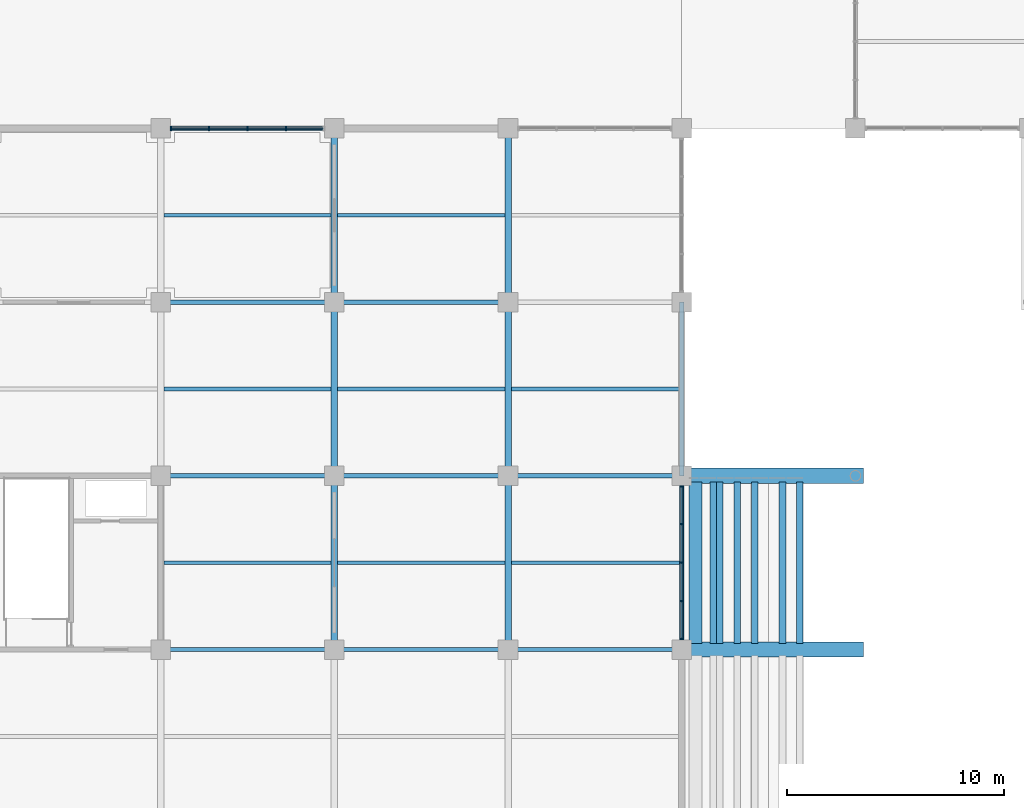
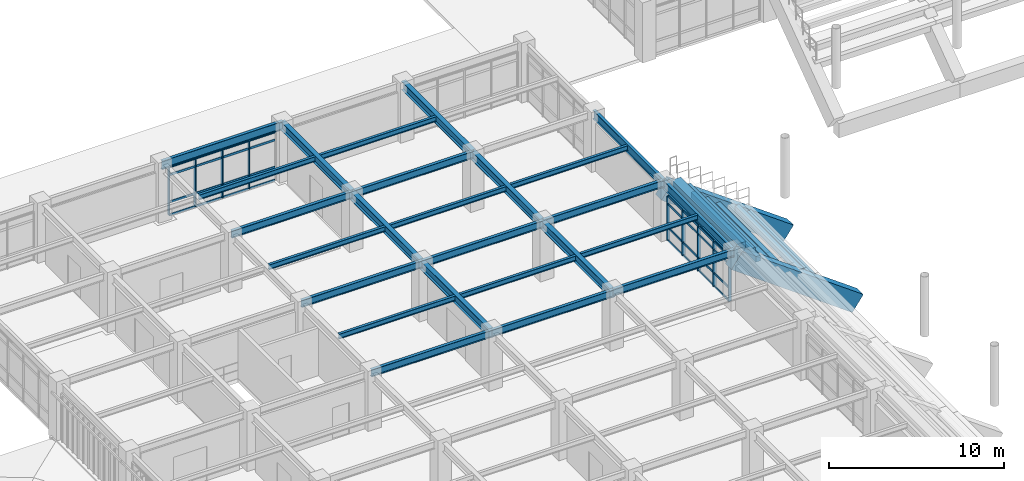
# One storey, part 51 of 118: 41 members, 34 beams, 2 elements without a shape of their own.
"""IFC4 building model written with IfcOpenShell, lengths in metres."""

from ifc_helpers import new_model, si_unit, direction, frame, origin, origin_2d, place, context, subcontext, project, spatial, rectangle, i_section, extrude, material, layer, layer_set, material_profile, profile_set, type_object, element, aggregate, save


model = new_model("IFC4")

# Units and contexts
model_context = context("Model", 3, precision=1e-05, world=origin(), true_north=direction((0.0, 1.0)))
body_context = subcontext(model_context, "Body", "Model", "MODEL_VIEW")
ifc_project = project(units=[si_unit("LENGTHUNIT", "METRE"), si_unit("AREAUNIT", "SQUARE_METRE"), si_unit("VOLUMEUNIT", "CUBIC_METRE"), si_unit("PLANEANGLEUNIT", "RADIAN"), si_unit("MASSUNIT", "GRAM", prefix="KILO")], contexts=[model_context])

# Site, building, storey
site_placement = place(None, origin())
site = spatial("IfcSite", under=ifc_project, at=site_placement, CompositionType="ELEMENT")
building_placement = place(site_placement, origin())
building = spatial("IfcBuilding", under=site, at=building_placement, Name="Haebicheon Civic Stadium", CompositionType="ELEMENT")
storey_placement = place(building_placement, frame((0.0, 0.0, 14.39990234375)))
storey = spatial("IfcBuildingStorey", under=building, at=storey_placement, Name="L04", CompositionType="ELEMENT", Elevation=14.39990234375)

# Beams
ifc_material_1 = material(Name="Precast concrete C40/50", Category="concrete")
ifc_material_profile_1 = material_profile(ifc_material_1, rectangle(XDim=0.300048828125, YDim=0.39990234375, at=origin_2d()), Name="PC-LN-300x400")
ifc_profile_set_1 = profile_set([ifc_material_profile_1], Name="Precast concrete C40/50")
beam_type_1 = type_object("IfcBeamType", Name="BM-LN-300x400", PredefinedType="LINTEL", material=ifc_profile_set_1)
for number, where, z_axis, x_axis, name in (
    (1, (69.43994140625, 128.280029296875, -0.10693359375), (0.0, 1.0, 0.0), (-1.0, 0.0, 0.0), "TIER-W-U precast step carrier beam 11.4"),
    (2, (68.639892578125, 128.280029296875, 0.5380859375), (0.0, 1.0, 0.0), (-1.0, 0.0, 0.0), "TIER-W-U precast step carrier beam 11.5"),
    (3, (67.360107421875, 128.280029296875, 1.18212890625), (0.0, 1.0, 0.0), (-1.0, 0.0, 0.0), "TIER-W-U precast step carrier beam 11.6"),
    (4, (66.56005859375, 128.280029296875, 1.8271484375), (0.0, 1.0, 0.0), (-1.0, 0.0, 0.0), "TIER-W-U precast step carrier beam 11.7"),
    (5, (65.760009765625, 128.280029296875, 2.47119140625), (0.0, 1.0, 0.0), (-1.0, 0.0, 0.0), "TIER-W-U precast step carrier beam 11.8"),
    (6, (65.43994140625, 128.280029296875, 3.1162109375), (0.0, 1.0, 0.0), (-1.0, 0.0, 0.0), "TIER-W-U precast step carrier beam 11.9"),
):
    element("IfcBeam", number, at=place(storey_placement, frame(where, z_axis=z_axis, x_axis=x_axis)), inside=storey, type_object=beam_type_1, material=ifc_profile_set_1, Name=name, PredefinedType="LINTEL", context=body_context, shape_type="SweptSolid", body=[
        extrude(rectangle(XDim=0.300048828125, YDim=0.39990234375, at=origin_2d()), origin(), (0.0, 0.0, 1.0), 7.43994140625),
    ])
ifc_material_2 = material(Name="Steel SM355 (S355)", Category="steel")
ifc_material_profile_2 = material_profile(ifc_material_2, i_section(OverallWidth=0.199951171875, OverallDepth=0.5, WebThickness=0.010009765625, FlangeThickness=0.01611328125, at=origin_2d()), Name="H-500x200x10x16")
ifc_profile_set_2 = profile_set([ifc_material_profile_2], Name="Steel SM355 (S355)")
beam_type_2 = type_object("IfcBeamType", Name="BM-ST-H500", PredefinedType="BEAM", material=ifc_profile_set_2)
for number, where, z_axis, x_axis, name in (
    (7, (40.0, 128.0, 3.690185546875), (1.0, 0.0, 0.0), (0.0, 1.0, 0.0), "L04 beam S/6-7"),
    (8, (40.0, 136.0, 3.690185546875), (1.0, 0.0, 0.0), (0.0, 1.0, 0.0), "L04 beam T/6-7"),
    (9, (40.0, 144.0, 3.690185546875), (1.0, 0.0, 0.0), (0.0, 1.0, 0.0), "L04 beam U/6-7"),
    (10, (48.0, 128.0, 3.690185546875), (1.0, 0.0, 0.0), (0.0, 1.0, 0.0), "L04 beam S/7-8"),
    (11, (48.0, 136.0, 3.690185546875), (1.0, 0.0, 0.0), (0.0, 1.0, 0.0), "L04 beam T/7-8"),
    (12, (48.0, 144.0, 3.690185546875), (1.0, 0.0, 0.0), (0.0, 1.0, 0.0), "L04 beam U/7-8"),
    (13, (56.0, 128.0, 3.72998046875), (1.0, 0.0, 0.0), (0.0, 1.0, 0.0), "L04 beam S/8-9"),
    (14, (56.0, 136.0, 3.72998046875), (1.0, 0.0, 0.0), (0.0, 1.0, 0.0), "L04 beam T/8-9"),
):
    element("IfcBeam", number, at=place(storey_placement, frame(where, z_axis=z_axis, x_axis=x_axis)), inside=storey, type_object=beam_type_2, material=ifc_profile_set_2, Name=name, PredefinedType="BEAM", context=body_context, shape_type="SweptSolid", body=[
        extrude(i_section(OverallWidth=0.199951171875, OverallDepth=0.5, WebThickness=0.010009765625, FlangeThickness=0.01611328125, at=origin_2d()), origin(), (0.0, 0.0, 1.0), 8.0),
    ])
ifc_material_3 = material(Name="Steel SM355 (S355)", Category="steel")
ifc_material_profile_3 = material_profile(ifc_material_3, i_section(OverallWidth=0.300048828125, OverallDepth=0.60009765625, WebThickness=0.011962890625, FlangeThickness=0.02001953125, at=origin_2d()), Name="H-600x300x12x20")
ifc_profile_set_3 = profile_set([ifc_material_profile_3], Name="Steel SM355 (S355)")
beam_type_3 = type_object("IfcBeamType", Name="BM-ST-H600A", PredefinedType="BEAM", material=ifc_profile_set_3)
for number, where, z_axis, x_axis, name in (
    (15, (48.0, 128.0, 3.64013671875), (0.0, 1.0, 0.0), (-1.0, 0.0, 0.0), "L04 girder 7/S-T"),
    (16, (48.0, 136.0, 3.64013671875), (0.0, 1.0, 0.0), (-1.0, 0.0, 0.0), "L04 girder 7/T-U"),
    (17, (48.0, 144.0, 3.68017578125), (0.0, 1.0, 0.0), (-1.0, 0.0, 0.0), "L04 girder 7/U-V"),
    (18, (56.0, 128.0, 3.64013671875), (0.0, 1.0, 0.0), (-1.0, 0.0, 0.0), "L04 girder 8/S-T"),
    (19, (56.0, 136.0, 3.64013671875), (0.0, 1.0, 0.0), (-1.0, 0.0, 0.0), "L04 girder 8/T-U"),
    (20, (56.0, 144.0, 3.68017578125), (0.0, 1.0, 0.0), (-1.0, 0.0, 0.0), "L04 girder 8/U-V"),
):
    element("IfcBeam", number, at=place(storey_placement, frame(where, z_axis=z_axis, x_axis=x_axis)), inside=storey, type_object=beam_type_3, material=ifc_profile_set_3, Name=name, PredefinedType="BEAM", context=body_context, shape_type="SweptSolid", body=[
        extrude(i_section(OverallWidth=0.300048828125, OverallDepth=0.60009765625, WebThickness=0.011962890625, FlangeThickness=0.02001953125, at=origin_2d()), origin(), (0.0, 0.0, 1.0), 8.0),
    ])
ifc_material_4 = material(Name="Precast concrete C40/50", Category="concrete")
ifc_material_profile_4 = material_profile(ifc_material_4, rectangle(XDim=0.60009765625, YDim=0.85009765625, at=origin_2d()), Name="PC-TB-600x850")
ifc_profile_set_4 = profile_set([ifc_material_profile_4], Name="Precast concrete C40/50")
beam_type_4 = type_object("IfcBeamType", Name="BM-TB-600x850", PredefinedType="T_BEAM", material=ifc_profile_set_4)
beam_placement = place(storey_placement, frame((64.639892578125, 128.280029296875, 3.53515625), z_axis=(0.0, 1.0, 0.0), x_axis=(-1.0, 0.0, 0.0)))
element("IfcBeam", 21, at=beam_placement, inside=storey, type_object=beam_type_4, material=ifc_profile_set_4, Name="TIER-W-U upper tier bench carrier beam 11", PredefinedType="T_BEAM", context=body_context, shape_type="SweptSolid", body=[
    extrude(rectangle(XDim=0.60009765625, YDim=0.85009765625, at=origin_2d()), origin(), (0.0, 0.0, 1.0), 7.43994140625),
])

# Curtain wall, members
ifc_material_5 = material(Name="Anodised aluminium and laminated glass", Category="aluminium")
ifc_layer_1 = layer(ifc_material_5, 0.179931640625, Name="Anodised aluminium and laminated glass")
ifc_layer_set_1 = layer_set([ifc_layer_1], Name="Anodised aluminium and laminated glass")
curtain_wall_type_1 = type_object("IfcCurtainWallType", Name="CW-7100x3350", PredefinedType="NOTDEFINED", material=ifc_layer_set_1)
curtain_wall_1_placement = place(storey_placement, origin())
curtain_wall_1 = element("IfcCurtainWall", 22, at=curtain_wall_1_placement, inside=storey, type_object=curtain_wall_type_1, material=ifc_layer_set_1, Name="L04 unitised curtain wall 114", PredefinedType="NOTDEFINED")
ifc_material_6 = material(Name="Anodised aluminium 6063-T6", Category="aluminium")
ifc_material_profile_5 = material_profile(ifc_material_6, rectangle(XDim=0.070068359375, YDim=0.199951171875, at=origin_2d()), Name="ALU-MULL-70x200")
ifc_profile_set_5 = profile_set([ifc_material_profile_5], Name="Anodised aluminium 6063-T6")
member_type_1 = type_object("IfcMemberType", Name="CWM-200x70", PredefinedType="MULLION", material=ifc_profile_set_5)
member_1_placement = place(storey_placement, frame((40.485107421875, 152.0, 0.0), z_axis=(0.0, 0.0, 1.0), x_axis=(1.0, 0.0, 0.0)))
member_1 = element("IfcMember", 23, at=member_1_placement, type_object=member_type_1, material=ifc_profile_set_5, Name="CW-L04-114 vertical mullion 1", PredefinedType="MULLION", context=body_context, shape_type="SweptSolid", body=[
    extrude(rectangle(XDim=0.070068359375, YDim=0.199951171875, at=origin_2d()), origin(), (0.0, 0.0, 1.0), 3.35009765625),
])
member_2_placement = place(storey_placement, frame((42.22509765625, 152.0, 0.0), z_axis=(0.0, 0.0, 1.0), x_axis=(1.0, 0.0, 0.0)))
member_2 = element("IfcMember", 24, at=member_2_placement, type_object=member_type_1, material=ifc_profile_set_5, Name="CW-L04-114 vertical mullion 2", PredefinedType="MULLION", context=body_context, shape_type="SweptSolid", body=[
    extrude(rectangle(XDim=0.070068359375, YDim=0.199951171875, at=origin_2d()), origin(), (0.0, 0.0, 1.0), 3.35009765625),
])
member_3_placement = place(storey_placement, frame((44.0, 152.0, 0.0), z_axis=(0.0, 0.0, 1.0), x_axis=(1.0, 0.0, 0.0)))
member_3 = element("IfcMember", 25, at=member_3_placement, type_object=member_type_1, material=ifc_profile_set_5, Name="CW-L04-114 vertical mullion 3", PredefinedType="MULLION", context=body_context, shape_type="SweptSolid", body=[
    extrude(rectangle(XDim=0.070068359375, YDim=0.199951171875, at=origin_2d()), origin(), (0.0, 0.0, 1.0), 3.35009765625),
])
member_4_placement = place(storey_placement, frame((45.77490234375, 152.0, 0.0), z_axis=(0.0, 0.0, 1.0), x_axis=(1.0, 0.0, 0.0)))
member_4 = element("IfcMember", 26, at=member_4_placement, type_object=member_type_1, material=ifc_profile_set_5, Name="CW-L04-114 vertical mullion 4", PredefinedType="MULLION", context=body_context, shape_type="SweptSolid", body=[
    extrude(rectangle(XDim=0.070068359375, YDim=0.199951171875, at=origin_2d()), origin(), (0.0, 0.0, 1.0), 3.35009765625),
])

ifc_material_7 = material(Name="Anodised aluminium and laminated glass", Category="aluminium")
ifc_layer_2 = layer(ifc_material_7, 0.179931640625, Name="Anodised aluminium and laminated glass")
ifc_layer_set_2 = layer_set([ifc_layer_2], Name="Anodised aluminium and laminated glass")
curtain_wall_type_2 = type_object("IfcCurtainWallType", Name="CW-7100x3100", PredefinedType="NOTDEFINED", material=ifc_layer_set_2)
curtain_wall_2_placement = place(storey_placement, origin())
curtain_wall_2 = element("IfcCurtainWall", 27, at=curtain_wall_2_placement, inside=storey, type_object=curtain_wall_type_2, material=ifc_layer_set_2, Name="L04 unitised curtain wall 122", PredefinedType="NOTDEFINED")
member_5_placement = place(storey_placement, frame((64.0, 128.485107421875, 0.0), z_axis=(0.0, 0.0, 1.0), x_axis=(0.0, 1.0, 0.0)))
member_5 = element("IfcMember", 28, at=member_5_placement, type_object=member_type_1, material=ifc_profile_set_5, Name="CW-L04-122 vertical mullion 1", PredefinedType="MULLION", context=body_context, shape_type="SweptSolid", body=[
    extrude(rectangle(XDim=0.070068359375, YDim=0.199951171875, at=origin_2d()), origin(), (0.0, 0.0, 1.0), 3.10009765625),
])
member_6_placement = place(storey_placement, frame((64.0, 130.22509765625, 0.0), z_axis=(0.0, 0.0, 1.0), x_axis=(0.0, 1.0, 0.0)))
member_6 = element("IfcMember", 29, at=member_6_placement, type_object=member_type_1, material=ifc_profile_set_5, Name="CW-L04-122 vertical mullion 2", PredefinedType="MULLION", context=body_context, shape_type="SweptSolid", body=[
    extrude(rectangle(XDim=0.070068359375, YDim=0.199951171875, at=origin_2d()), origin(), (0.0, 0.0, 1.0), 3.10009765625),
])
member_7_placement = place(storey_placement, frame((64.0, 132.0, 0.0), z_axis=(0.0, 0.0, 1.0), x_axis=(0.0, 1.0, 0.0)))
member_7 = element("IfcMember", 30, at=member_7_placement, type_object=member_type_1, material=ifc_profile_set_5, Name="CW-L04-122 vertical mullion 3", PredefinedType="MULLION", context=body_context, shape_type="SweptSolid", body=[
    extrude(rectangle(XDim=0.070068359375, YDim=0.199951171875, at=origin_2d()), origin(), (0.0, 0.0, 1.0), 3.10009765625),
])
member_8_placement = place(storey_placement, frame((64.0, 133.77490234375, 0.0), z_axis=(0.0, 0.0, 1.0), x_axis=(0.0, 1.0, 0.0)))
member_8 = element("IfcMember", 31, at=member_8_placement, type_object=member_type_1, material=ifc_profile_set_5, Name="CW-L04-122 vertical mullion 4", PredefinedType="MULLION", context=body_context, shape_type="SweptSolid", body=[
    extrude(rectangle(XDim=0.070068359375, YDim=0.199951171875, at=origin_2d()), origin(), (0.0, 0.0, 1.0), 3.10009765625),
])
member_9_placement = place(storey_placement, frame((64.0, 135.514892578125, 0.0), z_axis=(0.0, 0.0, 1.0), x_axis=(0.0, 1.0, 0.0)))
member_9 = element("IfcMember", 32, at=member_9_placement, type_object=member_type_1, material=ifc_profile_set_5, Name="CW-L04-122 vertical mullion 5", PredefinedType="MULLION", context=body_context, shape_type="SweptSolid", body=[
    extrude(rectangle(XDim=0.070068359375, YDim=0.199951171875, at=origin_2d()), origin(), (0.0, 0.0, 1.0), 3.10009765625),
])

# Member
ifc_material_8 = material(Name="Anodised aluminium 6063-T6", Category="aluminium")
ifc_material_profile_6 = material_profile(ifc_material_8, rectangle(XDim=0.070068359375, YDim=0.14990234375, at=origin_2d()), Name="ALU-TRAN-70x150")
ifc_profile_set_6 = profile_set([ifc_material_profile_6], Name="Anodised aluminium 6063-T6")
member_type_2 = type_object("IfcMemberType", Name="CWT-150x70", PredefinedType="NOTDEFINED", material=ifc_profile_set_6)
member_10_placement = place(storey_placement, frame((40.52001953125, 152.0, 0.0), z_axis=(1.0, 0.0, 0.0), x_axis=(0.0, 1.0, 0.0)))
member_10 = element("IfcMember", 33, at=member_10_placement, type_object=member_type_2, material=ifc_profile_set_6, Name="CW-L04-114 horizontal transom 1.1", ObjectType="TRANSOM", PredefinedType="USERDEFINED", context=body_context, shape_type="SweptSolid", body=[
    extrude(rectangle(XDim=0.070068359375, YDim=0.14990234375, at=origin_2d()), origin(), (0.0, 0.0, 1.0), 1.669921875),
])

member_11_placement = place(storey_placement, frame((40.52001953125, 152.0, 0.900146484375), z_axis=(1.0, 0.0, 0.0), x_axis=(0.0, 1.0, 0.0)))
member_11 = element("IfcMember", 34, at=member_11_placement, type_object=member_type_2, material=ifc_profile_set_6, Name="CW-L04-114 horizontal transom 1.2", ObjectType="TRANSOM", PredefinedType="USERDEFINED", context=body_context, shape_type="SweptSolid", body=[
    extrude(rectangle(XDim=0.070068359375, YDim=0.14990234375, at=origin_2d()), origin(), (0.0, 0.0, 1.0), 1.669921875),
])

member_12_placement = place(storey_placement, frame((40.52001953125, 152.0, 2.800048828125), z_axis=(1.0, 0.0, 0.0), x_axis=(0.0, 1.0, 0.0)))
member_12 = element("IfcMember", 35, at=member_12_placement, type_object=member_type_2, material=ifc_profile_set_6, Name="CW-L04-114 horizontal transom 1.3", ObjectType="TRANSOM", PredefinedType="USERDEFINED", context=body_context, shape_type="SweptSolid", body=[
    extrude(rectangle(XDim=0.070068359375, YDim=0.14990234375, at=origin_2d()), origin(), (0.0, 0.0, 1.0), 1.669921875),
])

member_13_placement = place(storey_placement, frame((40.52001953125, 152.0, 3.35009765625), z_axis=(1.0, 0.0, 0.0), x_axis=(0.0, 1.0, 0.0)))
member_13 = element("IfcMember", 36, at=member_13_placement, type_object=member_type_2, material=ifc_profile_set_6, Name="CW-L04-114 horizontal transom 1.4", ObjectType="TRANSOM", PredefinedType="USERDEFINED", context=body_context, shape_type="SweptSolid", body=[
    extrude(rectangle(XDim=0.070068359375, YDim=0.14990234375, at=origin_2d()), origin(), (0.0, 0.0, 1.0), 1.669921875),
])

member_14_placement = place(storey_placement, frame((42.260009765625, 152.0, 0.0), z_axis=(1.0, 0.0, 0.0), x_axis=(0.0, 1.0, 0.0)))
member_14 = element("IfcMember", 37, at=member_14_placement, type_object=member_type_2, material=ifc_profile_set_6, Name="CW-L04-114 horizontal transom 2.1", ObjectType="TRANSOM", PredefinedType="USERDEFINED", context=body_context, shape_type="SweptSolid", body=[
    extrude(rectangle(XDim=0.070068359375, YDim=0.14990234375, at=origin_2d()), origin(), (0.0, 0.0, 1.0), 1.705078125),
])

member_15_placement = place(storey_placement, frame((42.260009765625, 152.0, 0.900146484375), z_axis=(1.0, 0.0, 0.0), x_axis=(0.0, 1.0, 0.0)))
member_15 = element("IfcMember", 38, at=member_15_placement, type_object=member_type_2, material=ifc_profile_set_6, Name="CW-L04-114 horizontal transom 2.2", ObjectType="TRANSOM", PredefinedType="USERDEFINED", context=body_context, shape_type="SweptSolid", body=[
    extrude(rectangle(XDim=0.070068359375, YDim=0.14990234375, at=origin_2d()), origin(), (0.0, 0.0, 1.0), 1.705078125),
])

member_16_placement = place(storey_placement, frame((42.260009765625, 152.0, 2.800048828125), z_axis=(1.0, 0.0, 0.0), x_axis=(0.0, 1.0, 0.0)))
member_16 = element("IfcMember", 39, at=member_16_placement, type_object=member_type_2, material=ifc_profile_set_6, Name="CW-L04-114 horizontal transom 2.3", ObjectType="TRANSOM", PredefinedType="USERDEFINED", context=body_context, shape_type="SweptSolid", body=[
    extrude(rectangle(XDim=0.070068359375, YDim=0.14990234375, at=origin_2d()), origin(), (0.0, 0.0, 1.0), 1.705078125),
])

member_17_placement = place(storey_placement, frame((42.260009765625, 152.0, 3.35009765625), z_axis=(1.0, 0.0, 0.0), x_axis=(0.0, 1.0, 0.0)))
member_17 = element("IfcMember", 40, at=member_17_placement, type_object=member_type_2, material=ifc_profile_set_6, Name="CW-L04-114 horizontal transom 2.4", ObjectType="TRANSOM", PredefinedType="USERDEFINED", context=body_context, shape_type="SweptSolid", body=[
    extrude(rectangle(XDim=0.070068359375, YDim=0.14990234375, at=origin_2d()), origin(), (0.0, 0.0, 1.0), 1.705078125),
])

member_18_placement = place(storey_placement, frame((44.034912109375, 152.0, 0.0), z_axis=(1.0, 0.0, 0.0), x_axis=(0.0, 1.0, 0.0)))
member_18 = element("IfcMember", 41, at=member_18_placement, type_object=member_type_2, material=ifc_profile_set_6, Name="CW-L04-114 horizontal transom 3.1", ObjectType="TRANSOM", PredefinedType="USERDEFINED", context=body_context, shape_type="SweptSolid", body=[
    extrude(rectangle(XDim=0.070068359375, YDim=0.14990234375, at=origin_2d()), origin(), (0.0, 0.0, 1.0), 1.705078125),
])

member_19_placement = place(storey_placement, frame((44.034912109375, 152.0, 0.900146484375), z_axis=(1.0, 0.0, 0.0), x_axis=(0.0, 1.0, 0.0)))
member_19 = element("IfcMember", 42, at=member_19_placement, type_object=member_type_2, material=ifc_profile_set_6, Name="CW-L04-114 horizontal transom 3.2", ObjectType="TRANSOM", PredefinedType="USERDEFINED", context=body_context, shape_type="SweptSolid", body=[
    extrude(rectangle(XDim=0.070068359375, YDim=0.14990234375, at=origin_2d()), origin(), (0.0, 0.0, 1.0), 1.705078125),
])

member_20_placement = place(storey_placement, frame((44.034912109375, 152.0, 2.800048828125), z_axis=(1.0, 0.0, 0.0), x_axis=(0.0, 1.0, 0.0)))
member_20 = element("IfcMember", 43, at=member_20_placement, type_object=member_type_2, material=ifc_profile_set_6, Name="CW-L04-114 horizontal transom 3.3", ObjectType="TRANSOM", PredefinedType="USERDEFINED", context=body_context, shape_type="SweptSolid", body=[
    extrude(rectangle(XDim=0.070068359375, YDim=0.14990234375, at=origin_2d()), origin(), (0.0, 0.0, 1.0), 1.705078125),
])

member_21_placement = place(storey_placement, frame((44.034912109375, 152.0, 3.35009765625), z_axis=(1.0, 0.0, 0.0), x_axis=(0.0, 1.0, 0.0)))
member_21 = element("IfcMember", 44, at=member_21_placement, type_object=member_type_2, material=ifc_profile_set_6, Name="CW-L04-114 horizontal transom 3.4", ObjectType="TRANSOM", PredefinedType="USERDEFINED", context=body_context, shape_type="SweptSolid", body=[
    extrude(rectangle(XDim=0.070068359375, YDim=0.14990234375, at=origin_2d()), origin(), (0.0, 0.0, 1.0), 1.705078125),
])

member_22_placement = place(storey_placement, frame((45.81005859375, 152.0, 0.0), z_axis=(1.0, 0.0, 0.0), x_axis=(0.0, 1.0, 0.0)))
member_22 = element("IfcMember", 45, at=member_22_placement, type_object=member_type_2, material=ifc_profile_set_6, Name="CW-L04-114 horizontal transom 4.1", ObjectType="TRANSOM", PredefinedType="USERDEFINED", context=body_context, shape_type="SweptSolid", body=[
    extrude(rectangle(XDim=0.070068359375, YDim=0.14990234375, at=origin_2d()), origin(), (0.0, 0.0, 1.0), 1.669921875),
])

member_23_placement = place(storey_placement, frame((45.81005859375, 152.0, 0.900146484375), z_axis=(1.0, 0.0, 0.0), x_axis=(0.0, 1.0, 0.0)))
member_23 = element("IfcMember", 46, at=member_23_placement, type_object=member_type_2, material=ifc_profile_set_6, Name="CW-L04-114 horizontal transom 4.2", ObjectType="TRANSOM", PredefinedType="USERDEFINED", context=body_context, shape_type="SweptSolid", body=[
    extrude(rectangle(XDim=0.070068359375, YDim=0.14990234375, at=origin_2d()), origin(), (0.0, 0.0, 1.0), 1.669921875),
])

member_24_placement = place(storey_placement, frame((45.81005859375, 152.0, 2.800048828125), z_axis=(1.0, 0.0, 0.0), x_axis=(0.0, 1.0, 0.0)))
member_24 = element("IfcMember", 47, at=member_24_placement, type_object=member_type_2, material=ifc_profile_set_6, Name="CW-L04-114 horizontal transom 4.3", ObjectType="TRANSOM", PredefinedType="USERDEFINED", context=body_context, shape_type="SweptSolid", body=[
    extrude(rectangle(XDim=0.070068359375, YDim=0.14990234375, at=origin_2d()), origin(), (0.0, 0.0, 1.0), 1.669921875),
])

member_25_placement = place(storey_placement, frame((45.81005859375, 152.0, 3.35009765625), z_axis=(1.0, 0.0, 0.0), x_axis=(0.0, 1.0, 0.0)))
member_25 = element("IfcMember", 48, at=member_25_placement, type_object=member_type_2, material=ifc_profile_set_6, Name="CW-L04-114 horizontal transom 4.4", ObjectType="TRANSOM", PredefinedType="USERDEFINED", context=body_context, shape_type="SweptSolid", body=[
    extrude(rectangle(XDim=0.070068359375, YDim=0.14990234375, at=origin_2d()), origin(), (0.0, 0.0, 1.0), 1.669921875),
])

aggregate(curtain_wall_1, [member_1, member_2, member_3, member_4, member_10, member_11, member_12, member_13, member_14, member_15, member_16, member_17, member_18, member_19, member_20, member_21, member_22, member_23, member_24, member_25])

member_26_placement = place(storey_placement, frame((64.0, 128.52001953125, 0.0), z_axis=(0.0, 1.0, 0.0), x_axis=(-1.0, 0.0, 0.0)))
member_26 = element("IfcMember", 49, at=member_26_placement, type_object=member_type_2, material=ifc_profile_set_6, Name="CW-L04-122 horizontal transom 1.1", ObjectType="TRANSOM", PredefinedType="USERDEFINED", context=body_context, shape_type="SweptSolid", body=[
    extrude(rectangle(XDim=0.070068359375, YDim=0.14990234375, at=origin_2d()), origin(), (0.0, 0.0, 1.0), 1.669921875),
])

member_27_placement = place(storey_placement, frame((64.0, 128.52001953125, 0.900146484375), z_axis=(0.0, 1.0, 0.0), x_axis=(-1.0, 0.0, 0.0)))
member_27 = element("IfcMember", 50, at=member_27_placement, type_object=member_type_2, material=ifc_profile_set_6, Name="CW-L04-122 horizontal transom 1.2", ObjectType="TRANSOM", PredefinedType="USERDEFINED", context=body_context, shape_type="SweptSolid", body=[
    extrude(rectangle(XDim=0.070068359375, YDim=0.14990234375, at=origin_2d()), origin(), (0.0, 0.0, 1.0), 1.669921875),
])

member_28_placement = place(storey_placement, frame((64.0, 128.52001953125, 2.550048828125), z_axis=(0.0, 1.0, 0.0), x_axis=(-1.0, 0.0, 0.0)))
member_28 = element("IfcMember", 51, at=member_28_placement, type_object=member_type_2, material=ifc_profile_set_6, Name="CW-L04-122 horizontal transom 1.3", ObjectType="TRANSOM", PredefinedType="USERDEFINED", context=body_context, shape_type="SweptSolid", body=[
    extrude(rectangle(XDim=0.070068359375, YDim=0.14990234375, at=origin_2d()), origin(), (0.0, 0.0, 1.0), 1.669921875),
])

member_29_placement = place(storey_placement, frame((64.0, 128.52001953125, 3.10009765625), z_axis=(0.0, 1.0, 0.0), x_axis=(-1.0, 0.0, 0.0)))
member_29 = element("IfcMember", 52, at=member_29_placement, type_object=member_type_2, material=ifc_profile_set_6, Name="CW-L04-122 horizontal transom 1.4", ObjectType="TRANSOM", PredefinedType="USERDEFINED", context=body_context, shape_type="SweptSolid", body=[
    extrude(rectangle(XDim=0.070068359375, YDim=0.14990234375, at=origin_2d()), origin(), (0.0, 0.0, 1.0), 1.669921875),
])

member_30_placement = place(storey_placement, frame((64.0, 130.260009765625, 0.0), z_axis=(0.0, 1.0, 0.0), x_axis=(-1.0, 0.0, 0.0)))
member_30 = element("IfcMember", 53, at=member_30_placement, type_object=member_type_2, material=ifc_profile_set_6, Name="CW-L04-122 horizontal transom 2.1", ObjectType="TRANSOM", PredefinedType="USERDEFINED", context=body_context, shape_type="SweptSolid", body=[
    extrude(rectangle(XDim=0.070068359375, YDim=0.14990234375, at=origin_2d()), origin(), (0.0, 0.0, 1.0), 1.705078125),
])

member_31_placement = place(storey_placement, frame((64.0, 130.260009765625, 0.900146484375), z_axis=(0.0, 1.0, 0.0), x_axis=(-1.0, 0.0, 0.0)))
member_31 = element("IfcMember", 54, at=member_31_placement, type_object=member_type_2, material=ifc_profile_set_6, Name="CW-L04-122 horizontal transom 2.2", ObjectType="TRANSOM", PredefinedType="USERDEFINED", context=body_context, shape_type="SweptSolid", body=[
    extrude(rectangle(XDim=0.070068359375, YDim=0.14990234375, at=origin_2d()), origin(), (0.0, 0.0, 1.0), 1.705078125),
])

member_32_placement = place(storey_placement, frame((64.0, 130.260009765625, 2.550048828125), z_axis=(0.0, 1.0, 0.0), x_axis=(-1.0, 0.0, 0.0)))
member_32 = element("IfcMember", 55, at=member_32_placement, type_object=member_type_2, material=ifc_profile_set_6, Name="CW-L04-122 horizontal transom 2.3", ObjectType="TRANSOM", PredefinedType="USERDEFINED", context=body_context, shape_type="SweptSolid", body=[
    extrude(rectangle(XDim=0.070068359375, YDim=0.14990234375, at=origin_2d()), origin(), (0.0, 0.0, 1.0), 1.705078125),
])

member_33_placement = place(storey_placement, frame((64.0, 130.260009765625, 3.10009765625), z_axis=(0.0, 1.0, 0.0), x_axis=(-1.0, 0.0, 0.0)))
member_33 = element("IfcMember", 56, at=member_33_placement, type_object=member_type_2, material=ifc_profile_set_6, Name="CW-L04-122 horizontal transom 2.4", ObjectType="TRANSOM", PredefinedType="USERDEFINED", context=body_context, shape_type="SweptSolid", body=[
    extrude(rectangle(XDim=0.070068359375, YDim=0.14990234375, at=origin_2d()), origin(), (0.0, 0.0, 1.0), 1.705078125),
])

member_34_placement = place(storey_placement, frame((64.0, 132.034912109375, 0.0), z_axis=(0.0, 1.0, 0.0), x_axis=(-1.0, 0.0, 0.0)))
member_34 = element("IfcMember", 57, at=member_34_placement, type_object=member_type_2, material=ifc_profile_set_6, Name="CW-L04-122 horizontal transom 3.1", ObjectType="TRANSOM", PredefinedType="USERDEFINED", context=body_context, shape_type="SweptSolid", body=[
    extrude(rectangle(XDim=0.070068359375, YDim=0.14990234375, at=origin_2d()), origin(), (0.0, 0.0, 1.0), 1.705078125),
])

member_35_placement = place(storey_placement, frame((64.0, 132.034912109375, 0.900146484375), z_axis=(0.0, 1.0, 0.0), x_axis=(-1.0, 0.0, 0.0)))
member_35 = element("IfcMember", 58, at=member_35_placement, type_object=member_type_2, material=ifc_profile_set_6, Name="CW-L04-122 horizontal transom 3.2", ObjectType="TRANSOM", PredefinedType="USERDEFINED", context=body_context, shape_type="SweptSolid", body=[
    extrude(rectangle(XDim=0.070068359375, YDim=0.14990234375, at=origin_2d()), origin(), (0.0, 0.0, 1.0), 1.705078125),
])

member_36_placement = place(storey_placement, frame((64.0, 132.034912109375, 2.550048828125), z_axis=(0.0, 1.0, 0.0), x_axis=(-1.0, 0.0, 0.0)))
member_36 = element("IfcMember", 59, at=member_36_placement, type_object=member_type_2, material=ifc_profile_set_6, Name="CW-L04-122 horizontal transom 3.3", ObjectType="TRANSOM", PredefinedType="USERDEFINED", context=body_context, shape_type="SweptSolid", body=[
    extrude(rectangle(XDim=0.070068359375, YDim=0.14990234375, at=origin_2d()), origin(), (0.0, 0.0, 1.0), 1.705078125),
])

member_37_placement = place(storey_placement, frame((64.0, 132.034912109375, 3.10009765625), z_axis=(0.0, 1.0, 0.0), x_axis=(-1.0, 0.0, 0.0)))
member_37 = element("IfcMember", 60, at=member_37_placement, type_object=member_type_2, material=ifc_profile_set_6, Name="CW-L04-122 horizontal transom 3.4", ObjectType="TRANSOM", PredefinedType="USERDEFINED", context=body_context, shape_type="SweptSolid", body=[
    extrude(rectangle(XDim=0.070068359375, YDim=0.14990234375, at=origin_2d()), origin(), (0.0, 0.0, 1.0), 1.705078125),
])

member_38_placement = place(storey_placement, frame((64.0, 133.81005859375, 0.0), z_axis=(0.0, 1.0, 0.0), x_axis=(-1.0, 0.0, 0.0)))
member_38 = element("IfcMember", 61, at=member_38_placement, type_object=member_type_2, material=ifc_profile_set_6, Name="CW-L04-122 horizontal transom 4.1", ObjectType="TRANSOM", PredefinedType="USERDEFINED", context=body_context, shape_type="SweptSolid", body=[
    extrude(rectangle(XDim=0.070068359375, YDim=0.14990234375, at=origin_2d()), origin(), (0.0, 0.0, 1.0), 1.669921875),
])

member_39_placement = place(storey_placement, frame((64.0, 133.81005859375, 0.900146484375), z_axis=(0.0, 1.0, 0.0), x_axis=(-1.0, 0.0, 0.0)))
member_39 = element("IfcMember", 62, at=member_39_placement, type_object=member_type_2, material=ifc_profile_set_6, Name="CW-L04-122 horizontal transom 4.2", ObjectType="TRANSOM", PredefinedType="USERDEFINED", context=body_context, shape_type="SweptSolid", body=[
    extrude(rectangle(XDim=0.070068359375, YDim=0.14990234375, at=origin_2d()), origin(), (0.0, 0.0, 1.0), 1.669921875),
])

member_40_placement = place(storey_placement, frame((64.0, 133.81005859375, 2.550048828125), z_axis=(0.0, 1.0, 0.0), x_axis=(-1.0, 0.0, 0.0)))
member_40 = element("IfcMember", 63, at=member_40_placement, type_object=member_type_2, material=ifc_profile_set_6, Name="CW-L04-122 horizontal transom 4.3", ObjectType="TRANSOM", PredefinedType="USERDEFINED", context=body_context, shape_type="SweptSolid", body=[
    extrude(rectangle(XDim=0.070068359375, YDim=0.14990234375, at=origin_2d()), origin(), (0.0, 0.0, 1.0), 1.669921875),
])

member_41_placement = place(storey_placement, frame((64.0, 133.81005859375, 3.10009765625), z_axis=(0.0, 1.0, 0.0), x_axis=(-1.0, 0.0, 0.0)))
member_41 = element("IfcMember", 64, at=member_41_placement, type_object=member_type_2, material=ifc_profile_set_6, Name="CW-L04-122 horizontal transom 4.4", ObjectType="TRANSOM", PredefinedType="USERDEFINED", context=body_context, shape_type="SweptSolid", body=[
    extrude(rectangle(XDim=0.070068359375, YDim=0.14990234375, at=origin_2d()), origin(), (0.0, 0.0, 1.0), 1.669921875),
])

aggregate(curtain_wall_2, [member_5, member_6, member_7, member_8, member_9, member_26, member_27, member_28, member_29, member_30, member_31, member_32, member_33, member_34, member_35, member_36, member_37, member_38, member_39, member_40, member_41])

# Beams
ifc_material_9 = material(Name="Steel SM355 (S355)", Category="steel")
ifc_material_profile_7 = material_profile(ifc_material_9, i_section(OverallWidth=0.175048828125, OverallDepth=0.35009765625, WebThickness=0.007080078125, FlangeThickness=0.010986328125, at=origin_2d()), Name="H-350x175x7x11")
ifc_profile_set_7 = profile_set([ifc_material_profile_7], Name="Steel SM355 (S355)")
beam_type_5 = type_object("IfcBeamType", Name="JST-ST-H350", PredefinedType="JOIST", material=ifc_profile_set_7)
for number, where, z_axis, x_axis, name in (
    (65, (40.14990234375, 132.0, 3.76513671875), (1.0, 0.0, 0.0), (0.0, 1.0, 0.0), "L04 secondary joist 05-16"),
    (66, (40.14990234375, 140.0, 3.76513671875), (1.0, 0.0, 0.0), (0.0, 1.0, 0.0), "L04 secondary joist 05-17"),
    (67, (40.14990234375, 148.0, 3.80517578125), (1.0, 0.0, 0.0), (0.0, 1.0, 0.0), "L04 secondary joist 05-18"),
    (68, (48.14990234375, 132.0, 3.76513671875), (1.0, 0.0, 0.0), (0.0, 1.0, 0.0), "L04 secondary joist 06-16"),
    (69, (48.14990234375, 140.0, 3.76513671875), (1.0, 0.0, 0.0), (0.0, 1.0, 0.0), "L04 secondary joist 06-17"),
    (70, (48.14990234375, 148.0, 3.80517578125), (1.0, 0.0, 0.0), (0.0, 1.0, 0.0), "L04 secondary joist 06-18"),
):
    element("IfcBeam", number, at=place(storey_placement, frame(where, z_axis=z_axis, x_axis=x_axis)), inside=storey, type_object=beam_type_5, material=ifc_profile_set_7, Name=name, PredefinedType="JOIST", context=body_context, shape_type="SweptSolid", body=[
        extrude(i_section(OverallWidth=0.175048828125, OverallDepth=0.35009765625, WebThickness=0.007080078125, FlangeThickness=0.010986328125, at=origin_2d()), origin(), (0.0, 0.0, 1.0), 7.7001953125),
    ])
for number, where, z_axis, x_axis, name in (
    (71, (56.14990234375, 132.0, 3.80517578125), (1.0, 0.0, 0.0), (0.0, 1.0, 0.0), "L04 secondary joist 07-16"),
    (72, (56.14990234375, 140.0, 3.80517578125), (1.0, 0.0, 0.0), (0.0, 1.0, 0.0), "L04 secondary joist 07-17"),
):
    element("IfcBeam", number, at=place(storey_placement, frame(where, z_axis=z_axis, x_axis=x_axis)), inside=storey, type_object=beam_type_5, material=ifc_profile_set_7, Name=name, PredefinedType="JOIST", context=body_context, shape_type="SweptSolid", body=[
        extrude(i_section(OverallWidth=0.175048828125, OverallDepth=0.35009765625, WebThickness=0.007080078125, FlangeThickness=0.010986328125, at=origin_2d()), origin(), (0.0, 0.0, 1.0), 7.75),
    ])
ifc_material_10 = material(Name="Precast concrete C40/50", Category="concrete")
ifc_material_profile_8 = material_profile(ifc_material_10, rectangle(XDim=0.699951171875, YDim=1.25, at=origin_2d()), Name="PC-RK-700x1250")
ifc_profile_set_8 = profile_set([ifc_material_profile_8], Name="Precast concrete C40/50")
beam_type_6 = type_object("IfcBeamType", Name="RK-PC-700x1250", PredefinedType="USERDEFINED", material=ifc_profile_set_8)
for number, where, z_axis, x_axis, name in (
    (73, (72.0, 128.0, -2.46484375), (-0.809608095134, 0.0, 0.586970810428), (0.0, -1.0, 0.0), "TIER-W-U inclined precast raker beam 11"),
    (74, (72.0, 136.0, -2.46484375), (-0.809608095134, 0.0, 0.586970810428), (0.0, -1.0, 0.0), "TIER-W-U inclined precast raker beam 12"),
):
    element("IfcBeam", number, at=place(storey_placement, frame(where, z_axis=z_axis, x_axis=x_axis)), inside=storey, type_object=beam_type_6, material=ifc_profile_set_8, Name=name, ObjectType="RAKER BEAM", PredefinedType="USERDEFINED", context=body_context, shape_type="SweptSolid", body=[
        extrude(rectangle(XDim=0.699951171875, YDim=1.25, at=origin_2d()), origin(), (0.0, 0.0, 1.0), 9.88134765625),
    ])
ifc_material_11 = material(Name="Steel SM355 (S355)", Category="steel")
ifc_material_profile_9 = material_profile(ifc_material_11, i_section(OverallWidth=0.199951171875, OverallDepth=0.60009765625, WebThickness=0.010986328125, FlangeThickness=0.01708984375, at=origin_2d()), Name="H-600x200x11x17")
ifc_profile_set_9 = profile_set([ifc_material_profile_9], Name="Steel SM355 (S355)")
beam_type_7 = type_object("IfcBeamType", Name="SPD-ST-H600B", PredefinedType="SPANDREL", material=ifc_profile_set_9)
for number, where, z_axis, x_axis, name in (
    (75, (64.0, 128.0, 3.656005859375), (0.0, 1.0, 0.0), (-1.0, 0.0, 0.0), "L04 girder 9/S-T"),
    (76, (64.0, 136.0, 3.68017578125), (0.0, 1.0, 0.0), (-1.0, 0.0, 0.0), "L04 girder 9/T-U"),
    (77, (40.0, 152.0, 3.68017578125), (1.0, 0.0, 0.0), (0.0, 1.0, 0.0), "L04 beam V/6-7"),
):
    element("IfcBeam", number, at=place(storey_placement, frame(where, z_axis=z_axis, x_axis=x_axis)), inside=storey, type_object=beam_type_7, material=ifc_profile_set_9, Name=name, PredefinedType="SPANDREL", context=body_context, shape_type="SweptSolid", body=[
        extrude(i_section(OverallWidth=0.199951171875, OverallDepth=0.60009765625, WebThickness=0.010986328125, FlangeThickness=0.01708984375, at=origin_2d()), origin(), (0.0, 0.0, 1.0), 8.0),
    ])

save(model, "model.ifc")
